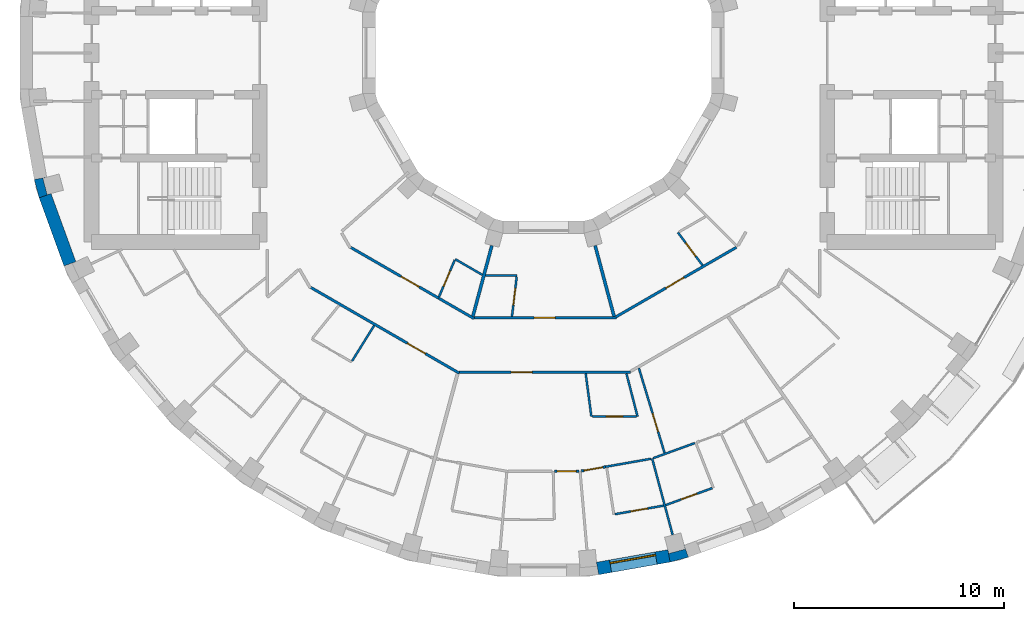
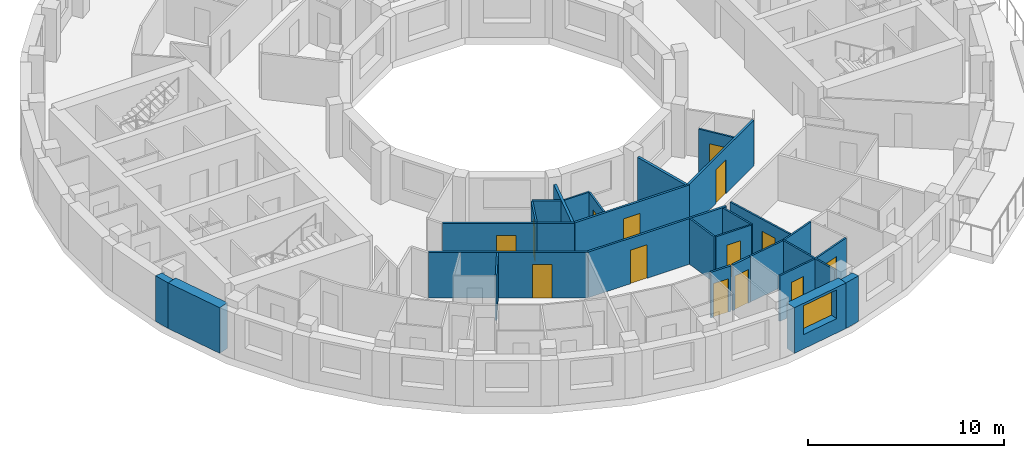
# One storey, part 5 of 14: 29 walls, 14 doors, 1 window, 15 openings.
"""IFC4 building model written with IfcOpenShell, lengths in metres."""

from ifc_helpers import new_model, si_unit, direction, frame, frame_2d, origin, place, context, subcontext, project, spatial, polyline, rectangle, outline, extrude, material, layer, layer_set, type_object, element, fill, save


model = new_model("IFC4")

# Units and contexts
model_context = context("Model", 3, precision=1e-05, world=origin(), true_north=direction((0.0, 1.0)))
body_context = subcontext(model_context, "Body", "Model", "MODEL_VIEW")
ifc_project = project(units=[si_unit("LENGTHUNIT", "METRE"), si_unit("AREAUNIT", "SQUARE_METRE"), si_unit("VOLUMEUNIT", "CUBIC_METRE"), si_unit("PLANEANGLEUNIT", "RADIAN"), si_unit("MASSUNIT", "GRAM", prefix="KILO")], contexts=[model_context])

# Site, building, storey
site_placement = place(None, origin())
site = spatial("IfcSite", under=ifc_project, at=site_placement, CompositionType="ELEMENT")
building_placement = place(site_placement, origin())
building = spatial("IfcBuilding", under=site, at=building_placement, Name="Saqina Gate Tower", CompositionType="ELEMENT")
storey_placement = place(building_placement, frame((0.0, 0.0, 177.300048828125)))
storey = spatial("IfcBuildingStorey", under=building, at=storey_placement, Name="L50", CompositionType="ELEMENT", Elevation=177.300048828125)

# Walls
ifc_material_1 = material(Name="Brick masonry (buff)", Category="masonry")
wall_type_1 = type_object("IfcWallType", Name="BRICK PIER COPING BUFF", PredefinedType="SOLIDWALL", material=ifc_material_1)
wall_1_placement = place(storey_placement, origin())
element("IfcWall", 1, at=wall_1_placement, inside=storey, type_object=wall_type_1, Name="Pier cap L50 column 20", PredefinedType="SOLIDWALL", context=body_context, shape_type="SweptSolid", body=[
    extrude(outline(polyline([(-24.22705078125, -6.0234375), (-23.992919921875, -6.897216796875), (-23.428955078125, -6.69189453125), (-23.610107421875, -6.740478515625), (-23.81689453125, -5.967529296875), (-23.635986328125, -5.919189453125), (-24.22705078125, -6.0234375)])), origin(), (0.0, 0.0, 1.0), 2.849853515625),
])
wall_2_placement = place(storey_placement, origin())
element("IfcWall", 2, at=wall_2_placement, inside=storey, type_object=wall_type_1, Name="Pier cap L50 column 29", PredefinedType="SOLIDWALL", context=body_context, shape_type="SweptSolid", body=[
    extrude(outline(polyline([(6.0234375, -24.22705078125), (6.897216796875, -23.992919921875), (6.69189453125, -23.428955078125), (6.740478515625, -23.610107421875), (5.967529296875, -23.81689453125), (5.919189453125, -23.635986328125), (6.0234375, -24.22705078125)])), origin(), (0.0, 0.0, 1.0), 2.849853515625),
])

# Wall, opening, window
ifc_material_2 = material(Name="Brick masonry (buff)", Category="masonry")
ifc_layer_1 = layer(ifc_material_2, 0.60009765625)
ifc_layer_set_1 = layer_set([ifc_layer_1], Name="FW-BRICK-BUFF")
wall_type_2 = type_object("IfcWallType", Name="FW-BRICK-BUFF", PredefinedType="SOLIDWALL", material=ifc_layer_set_1)
wall_3_placement = place(storey_placement, frame((2.573974609375, -24.530517578125, 0.0), z_axis=(0.0, 0.0, 1.0), x_axis=(0.984814892183, 0.173607684551, 0.0)))
wall_3 = element("IfcWall", 3, at=wall_3_placement, inside=storey, type_object=wall_type_2, Name="Facade wall L50 facet 28", PredefinedType="SOLIDWALL", context=body_context, shape_type="SweptSolid", body=[
    extrude(rectangle(XDim=3.44970703125, YDim=0.60009765625, at=frame_2d((1.724853515625, 0.0))), origin(), (0.0, 0.0, 1.0), 2.849853515625),
])
opening_1_placement = place(wall_3_placement, frame((0.625, 0.0, 0.89990234375)))
opening_1 = element("IfcOpeningElement", 4, at=opening_1_placement, cuts=wall_3, Name="Opening G14-W21", PredefinedType="OPENING", context=body_context, shape_type="SweptSolid", body=[
    extrude(rectangle(XDim=2.199951171875, YDim=1.800048828125, at=frame_2d((1.10009765625, 0.89990234375))), frame((0.0, 0.31201171875, 0.0), z_axis=(0.0, -1.0, 0.0), x_axis=(1.0, 0.0, 0.0)), (0.0, 0.0, 1.0), 0.6240234375),
])
ifc_material_3 = material(Name="Aluminium glazing", Category="aluminium")
window_type = type_object("IfcWindowType", Name="WN-C", PartitioningType="SINGLE_PANEL", PredefinedType="WINDOW", material=ifc_material_3)
window_placement = place(opening_1_placement, origin())
window = element("IfcWindow", 5, at=window_placement, inside=storey, type_object=window_type, Name="Window L50 facet 28", OverallHeight=1.800048828125, OverallWidth=2.199951171875, PartitioningType="SINGLE_PANEL", PredefinedType="WINDOW", context=body_context, shape_type="SweptSolid", body=[
    extrude(rectangle(XDim=2.199951171875, YDim=1.800048828125, at=frame_2d((1.10009765625, 0.89990234375))), frame((0.0, 0.179931640625, 0.0), z_axis=(0.0, -1.0, 0.0), x_axis=(1.0, 0.0, 0.0)), (0.0, 0.0, 1.0), 0.06005859375),
])
fill(opening_1, window)

# Walls
ifc_material_4 = material(Name="Glazed ceramic tile (dark blue)", Category="ceramic")
ifc_layer_2 = layer(ifc_material_4, 0.60009765625)
ifc_layer_set_2 = layer_set([ifc_layer_2], Name="FW-TILE-CB")
wall_type_3 = type_object("IfcWallType", Name="FW-TILE-CB", PredefinedType="SOLIDWALL", material=ifc_layer_set_2)
wall_4_placement = place(storey_placement, frame((-23.7109375, -6.79443359375, 0.0), z_axis=(0.0, 0.0, 1.0), x_axis=(0.342032843455, -0.93968799822, 0.0)))
element("IfcWall", 6, at=wall_4_placement, inside=storey, type_object=wall_type_3, Name="Facade wall L50 facet 20", PredefinedType="SOLIDWALL", context=body_context, shape_type="SweptSolid", body=[
    extrude(rectangle(XDim=3.44970703125, YDim=0.60009765625, at=frame_2d((1.724853515625, 0.0))), origin(), (0.0, 0.0, 1.0), 2.849853515625),
])
ifc_material_5 = material(Name="Gypsum board on steel studs, 100 mm", Category="steel")
ifc_layer_3 = layer(ifc_material_5, 0.10009765625)
ifc_layer_set_3 = layer_set([ifc_layer_3], Name="PARTITION 100")
wall_type_4 = type_object("IfcWallType", Name="PARTITION 100", PredefinedType="PARTITIONING", material=ifc_layer_set_3)
wall_5_placement = place(storey_placement, frame((2.00927734375, -15.261962890625, 0.0), z_axis=(0.0, 0.0, 1.0), x_axis=(0.130755571898, -0.991414635971, 0.0)))
element("IfcWall", 7, at=wall_5_placement, inside=storey, type_object=wall_type_4, Name="PARTITION PW3-07", PredefinedType="PARTITIONING", context=body_context, shape_type="SweptSolid", body=[
    extrude(rectangle(XDim=2.0556640625, YDim=0.10009765625, at=frame_2d((1.02783203125, 0.0))), origin(), (0.0, 0.0, 1.0), 2.849853515625),
])
wall_6_placement = place(storey_placement, frame((3.94775390625, -15.260498046875, 0.0), z_axis=(0.0, 0.0, 1.0), x_axis=(0.250326635419, -0.968161440876, 0.0)))
element("IfcWall", 8, at=wall_6_placement, inside=storey, type_object=wall_type_4, Name="PARTITION PW3-11", PredefinedType="PARTITIONING", context=body_context, shape_type="SweptSolid", body=[
    extrude(rectangle(XDim=2.106689453125, YDim=0.10009765625, at=frame_2d((1.05322265625, 0.0))), origin(), (0.0, 0.0, 1.0), 2.849853515625),
])
wall_7_placement = place(storey_placement, frame((5.1708984375, -19.300048828125, 0.0), z_axis=(0.0, 0.0, 1.0), x_axis=(0.259065026248, -0.965859882268, 0.0)))
element("IfcWall", 9, at=wall_7_placement, inside=storey, type_object=wall_type_4, Name="PARTITION PW3-12", PredefinedType="PARTITIONING", context=body_context, shape_type="SweptSolid", body=[
    extrude(rectangle(XDim=3.75927734375, YDim=0.10009765625, at=frame_2d((1.879638671875, 0.0))), origin(), (0.0, 0.0, 1.0), 2.849853515625),
])

# Wall, opening, door
wall_8_placement = place(storey_placement, frame((4.539306640625, -15.0009765625, 0.0), z_axis=(0.0, 0.0, 1.0), x_axis=(0.289622909768, -0.95714083088, 0.0)))
wall_8 = element("IfcWall", 10, at=wall_8_placement, inside=storey, type_object=wall_type_4, Name="PARTITION PW3-14", PredefinedType="PARTITIONING", context=body_context, shape_type="SweptSolid", body=[
    extrude(rectangle(XDim=4.212158203125, YDim=0.10009765625, at=frame_2d((2.10595703125, 0.0))), origin(), (0.0, 0.0, 1.0), 2.849853515625),
])
opening_2_placement = place(wall_8_placement, frame((2.25, 0.0, 0.0)))
opening_2 = element("IfcOpeningElement", 11, at=opening_2_placement, cuts=wall_8, Name="Opening G14-D54", PredefinedType="OPENING", context=body_context, shape_type="SweptSolid", body=[
    extrude(rectangle(XDim=0.89990234375, YDim=2.10009765625, at=frame_2d((0.449951171875, 1.050048828125))), frame((0.0, 0.06201171875, 0.0), z_axis=(0.0, -1.0, 0.0), x_axis=(1.0, 0.0, 0.0)), (0.0, 0.0, 1.0), 0.1240234375),
])
ifc_material_6 = material(Name="Timber door leaf, 900 mm", Category="wood")
door_type_1 = type_object("IfcDoorType", Name="DOOR 900 TIMBER", OperationType="SINGLE_SWING_LEFT", PredefinedType="DOOR", material=ifc_material_6)
door_1_placement = place(opening_2_placement, frame((0.89990234375, 0.0, 0.0), z_axis=(0.0, 0.0, 1.0), x_axis=(-1.0, 0.0, 0.0)))
door_1 = element("IfcDoor", 12, at=door_1_placement, inside=storey, type_object=door_type_1, Name="DOOR G14-D54", OperationType="SINGLE_SWING_RIGHT", OverallHeight=2.10009765625, OverallWidth=0.89990234375, PredefinedType="DOOR", context=body_context, shape_type="SweptSolid", body=[
    extrude(rectangle(XDim=0.89990234375, YDim=2.10009765625, at=frame_2d((0.449951171875, 1.050048828125))), frame((0.0, 0.02490234375, 0.0), z_axis=(0.0, -1.0, 0.0), x_axis=(1.0, 0.0, 0.0)), (0.0, 0.0, 1.0), 0.050048828125),
])
fill(opening_2, door_1)

wall_9_placement = place(storey_placement, frame((6.39697265625, -8.5458984375, 0.0), z_axis=(0.0, 0.0, 1.0), x_axis=(0.59915927021, -0.800629857626, 0.0)))
wall_9 = element("IfcWall", 13, at=wall_9_placement, inside=storey, type_object=wall_type_4, Name="PARTITION PW3-25", PredefinedType="PARTITIONING", context=body_context, shape_type="SweptSolid", body=[
    extrude(rectangle(XDim=1.9521484375, YDim=0.10009765625, at=frame_2d((0.97607421875, 0.0))), origin(), (0.0, 0.0, 1.0), 2.849853515625),
])
opening_3_placement = place(wall_9_placement, frame((0.607421875, 0.0, 0.0)))
opening_3 = element("IfcOpeningElement", 14, at=opening_3_placement, cuts=wall_9, Name="Opening G14-D60", PredefinedType="OPENING", context=body_context, shape_type="SweptSolid", body=[
    extrude(rectangle(XDim=0.800048828125, YDim=2.10009765625, at=frame_2d((0.39990234375, 1.050048828125))), frame((0.0, 0.06201171875, 0.0), z_axis=(0.0, -1.0, 0.0), x_axis=(1.0, 0.0, 0.0)), (0.0, 0.0, 1.0), 0.1240234375),
])
ifc_material_7 = material(Name="Timber door leaf, 800 mm", Category="wood")
door_type_2 = type_object("IfcDoorType", Name="DOOR 800 TIMBER", OperationType="SINGLE_SWING_LEFT", PredefinedType="DOOR", material=ifc_material_7)
door_2_placement = place(opening_3_placement, frame((0.800048828125, 0.0, 0.0), z_axis=(0.0, 0.0, 1.0), x_axis=(-1.0, 0.0, 0.0)))
door_2 = element("IfcDoor", 15, at=door_2_placement, inside=storey, type_object=door_type_2, Name="DOOR G14-D60", OperationType="SINGLE_SWING_LEFT", OverallHeight=2.10009765625, OverallWidth=0.800048828125, PredefinedType="DOOR", context=body_context, shape_type="SweptSolid", body=[
    extrude(rectangle(XDim=0.800048828125, YDim=2.10009765625, at=frame_2d((0.39990234375, 1.050048828125))), frame((0.0, 0.02490234375, 0.0), z_axis=(0.0, -1.0, 0.0), x_axis=(1.0, 0.0, 0.0)), (0.0, 0.0, 1.0), 0.050048828125),
])
fill(opening_3, door_2)

# Wall
wall_10_placement = place(storey_placement, frame((-4.202880859375, -9.81298828125, 0.0), z_axis=(0.0, 0.0, 1.0), x_axis=(0.865968547448, -0.500098465136, 0.0)))
element("IfcWall", 16, at=wall_10_placement, inside=storey, type_object=wall_type_4, Name="PARTITION PW3-38", PredefinedType="PARTITIONING", context=body_context, shape_type="SweptSolid", body=[
    extrude(rectangle(XDim=1.498779296875, YDim=0.10009765625, at=frame_2d((0.74951171875, 0.0))), origin(), (0.0, 0.0, 1.0), 2.849853515625),
])

# Wall, opening, door
wall_11_placement = place(storey_placement, frame((2.327880859375, -17.300048828125, 0.0), z_axis=(0.0, 0.0, 1.0), x_axis=(1.0, 0.0, 0.0)))
wall_11 = element("IfcWall", 17, at=wall_11_placement, inside=storey, type_object=wall_type_4, Name="PARTITION PW3-52", PredefinedType="PARTITIONING", context=body_context, shape_type="SweptSolid", body=[
    extrude(rectangle(XDim=2.09716796875, YDim=0.10009765625, at=frame_2d((1.048583984375, 0.0))), origin(), (0.0, 0.0, 1.0), 2.849853515625),
])
opening_4_placement = place(wall_11_placement, frame((0.6484375, 0.0, 0.0)))
opening_4 = element("IfcOpeningElement", 18, at=opening_4_placement, cuts=wall_11, Name="Opening G14-D52", PredefinedType="OPENING", context=body_context, shape_type="SweptSolid", body=[
    extrude(rectangle(XDim=0.800048828125, YDim=2.10009765625, at=frame_2d((0.39990234375, 1.050048828125))), frame((0.0, 0.06201171875, 0.0), z_axis=(0.0, -1.0, 0.0), x_axis=(1.0, 0.0, 0.0)), (0.0, 0.0, 1.0), 0.1240234375),
])
door_3_placement = place(opening_4_placement, frame((0.800048828125, 0.0, 0.0), z_axis=(0.0, 0.0, 1.0), x_axis=(-1.0, 0.0, 0.0)))
door_3 = element("IfcDoor", 19, at=door_3_placement, inside=storey, type_object=door_type_2, Name="DOOR G14-D52", OperationType="SINGLE_SWING_LEFT", OverallHeight=2.10009765625, OverallWidth=0.800048828125, PredefinedType="DOOR", context=body_context, shape_type="SweptSolid", body=[
    extrude(rectangle(XDim=0.800048828125, YDim=2.10009765625, at=frame_2d((0.39990234375, 1.050048828125))), frame((0.0, 0.02490234375, 0.0), z_axis=(0.0, -1.0, 0.0), x_axis=(1.0, 0.0, 0.0)), (0.0, 0.0, 1.0), 0.050048828125),
])
fill(opening_4, door_3)

# Wall
wall_12_placement = place(storey_placement, frame((-2.764892578125, -10.60009765625, 0.0), z_axis=(0.0, 0.0, 1.0), x_axis=(1.0, 0.0, 0.0)))
element("IfcWall", 20, at=wall_12_placement, inside=storey, type_object=wall_type_4, Name="PARTITION PW3-53", PredefinedType="PARTITIONING", context=body_context, shape_type="SweptSolid", body=[
    extrude(rectangle(XDim=1.497802734375, YDim=0.10009765625, at=frame_2d((0.7490234375, 0.0))), origin(), (0.0, 0.0, 1.0), 2.849853515625),
])

# Wall, opening, door
wall_13_placement = place(storey_placement, frame((3.396240234375, -21.9482421875, 0.0), z_axis=(0.0, 0.0, 1.0), x_axis=(0.984809591131, 0.173637752855, 0.0)))
wall_13 = element("IfcWall", 21, at=wall_13_placement, inside=storey, type_object=wall_type_4, Name="PARTITION PW3-58", PredefinedType="PARTITIONING", context=body_context, shape_type="SweptSolid", body=[
    extrude(rectangle(XDim=2.359375, YDim=0.10009765625, at=frame_2d((1.1796875, 0.0))), origin(), (0.0, 0.0, 1.0), 2.849853515625),
])
opening_5_placement = place(wall_13_placement, frame((0.77978515625, 0.0, 0.0)))
opening_5 = element("IfcOpeningElement", 22, at=opening_5_placement, cuts=wall_13, Name="Opening G14-D53", PredefinedType="OPENING", context=body_context, shape_type="SweptSolid", body=[
    extrude(rectangle(XDim=0.800048828125, YDim=2.10009765625, at=frame_2d((0.39990234375, 1.050048828125))), frame((0.0, 0.06201171875, 0.0), z_axis=(0.0, -1.0, 0.0), x_axis=(1.0, 0.0, 0.0)), (0.0, 0.0, 1.0), 0.1240234375),
])
door_4_placement = place(opening_5_placement, frame((0.800048828125, 0.0, 0.0), z_axis=(0.0, 0.0, 1.0), x_axis=(-1.0, 0.0, 0.0)))
door_4 = element("IfcDoor", 23, at=door_4_placement, inside=storey, type_object=door_type_2, Name="DOOR G14-D53", OperationType="SINGLE_SWING_LEFT", OverallHeight=2.10009765625, OverallWidth=0.800048828125, PredefinedType="DOOR", context=body_context, shape_type="SweptSolid", body=[
    extrude(rectangle(XDim=0.800048828125, YDim=2.10009765625, at=frame_2d((0.39990234375, 1.050048828125))), frame((0.0, 0.02490234375, 0.0), z_axis=(0.0, -1.0, 0.0), x_axis=(1.0, 0.0, 0.0)), (0.0, 0.0, 1.0), 0.050048828125),
])
fill(opening_5, door_4)

# Wall
wall_14_placement = place(storey_placement, frame((2.95068359375, -19.69189453125, 0.0), z_axis=(0.0, 0.0, 1.0), x_axis=(0.984828120468, 0.173532628446, 0.0)))
element("IfcWall", 24, at=wall_14_placement, inside=storey, type_object=wall_type_4, Name="PARTITION PW3-59", PredefinedType="PARTITIONING", context=body_context, shape_type="SweptSolid", body=[
    extrude(rectangle(XDim=2.20458984375, YDim=0.10009765625, at=frame_2d((1.102294921875, 0.0))), origin(), (0.0, 0.0, 1.0), 2.849853515625),
])

# Wall, opening, door
wall_15_placement = place(storey_placement, frame((5.81591796875, -21.512939453125, 0.0), z_axis=(0.0, 0.0, 1.0), x_axis=(0.939699727678, 0.342000616669, 0.0)))
wall_15 = element("IfcWall", 25, at=wall_15_placement, inside=storey, type_object=wall_type_4, Name="PARTITION PW3-62", PredefinedType="PARTITIONING", context=body_context, shape_type="SweptSolid", body=[
    extrude(rectangle(XDim=2.359375, YDim=0.10009765625, at=frame_2d((1.1796875, 0.0))), origin(), (0.0, 0.0, 1.0), 2.849853515625),
])
opening_6_placement = place(wall_15_placement, frame((0.779541015625, 0.0, 0.0)))
opening_6 = element("IfcOpeningElement", 26, at=opening_6_placement, cuts=wall_15, Name="Opening G14-D55", PredefinedType="OPENING", context=body_context, shape_type="SweptSolid", body=[
    extrude(rectangle(XDim=0.800048828125, YDim=2.10009765625, at=frame_2d((0.39990234375, 1.050048828125))), frame((0.0, 0.06201171875, 0.0), z_axis=(0.0, -1.0, 0.0), x_axis=(1.0, 0.0, 0.0)), (0.0, 0.0, 1.0), 0.1240234375),
])
door_5_placement = place(opening_6_placement, frame((0.800048828125, 0.0, 0.0), z_axis=(0.0, 0.0, 1.0), x_axis=(-1.0, 0.0, 0.0)))
door_5 = element("IfcDoor", 27, at=door_5_placement, inside=storey, type_object=door_type_2, Name="DOOR G14-D55", OperationType="SINGLE_SWING_RIGHT", OverallHeight=2.10009765625, OverallWidth=0.800048828125, PredefinedType="DOOR", context=body_context, shape_type="SweptSolid", body=[
    extrude(rectangle(XDim=0.800048828125, YDim=2.10009765625, at=frame_2d((0.39990234375, 1.050048828125))), frame((0.0, 0.02490234375, 0.0), z_axis=(0.0, -1.0, 0.0), x_axis=(1.0, 0.0, 0.0)), (0.0, 0.0, 1.0), 0.050048828125),
])
fill(opening_6, door_5)

# Walls
wall_16_placement = place(storey_placement, frame((5.218017578125, -19.282958984375, 0.0), z_axis=(0.0, 0.0, 1.0), x_axis=(0.939938953839, 0.341342588987, 0.0)))
element("IfcWall", 28, at=wall_16_placement, inside=storey, type_object=wall_type_4, Name="PARTITION PW3-63", PredefinedType="PARTITIONING", context=body_context, shape_type="SweptSolid", body=[
    extrude(rectangle(XDim=2.10498046875, YDim=0.10009765625, at=frame_2d((1.052490234375, 0.0))), origin(), (0.0, 0.0, 1.0), 2.849853515625),
])
wall_17_placement = place(storey_placement, frame((-9.106689453125, -14.66064453125, 0.0), z_axis=(0.0, 0.0, 1.0), x_axis=(0.528010719156, 0.849237705508, 0.0)))
element("IfcWall", 29, at=wall_17_placement, inside=storey, type_object=wall_type_4, Name="PARTITION PW3-90", PredefinedType="PARTITIONING", context=body_context, shape_type="SweptSolid", body=[
    extrude(rectangle(XDim=1.98828125, YDim=0.10009765625, at=frame_2d((0.994140625, 0.0))), origin(), (0.0, 0.0, 1.0), 2.849853515625),
])

# Wall, opening, door
wall_18_placement = place(storey_placement, frame((-4.971435546875, -11.607421875, 0.0), z_axis=(0.0, 0.0, 1.0), x_axis=(0.393655939277, 0.919257853636, 0.0)))
wall_18 = element("IfcWall", 30, at=wall_18_placement, inside=storey, type_object=wall_type_4, Name="PARTITION PW3-95", PredefinedType="PARTITIONING", context=body_context, shape_type="SweptSolid", body=[
    extrude(rectangle(XDim=1.902099609375, YDim=0.10009765625, at=frame_2d((0.951171875, 0.0))), origin(), (0.0, 0.0, 1.0), 2.849853515625),
])
opening_7_placement = place(wall_18_placement, frame((0.544677734375, 0.0, 0.0)))
opening_7 = element("IfcOpeningElement", 31, at=opening_7_placement, cuts=wall_18, Name="Opening G14-D41", PredefinedType="OPENING", context=body_context, shape_type="SweptSolid", body=[
    extrude(rectangle(XDim=0.800048828125, YDim=2.10009765625, at=frame_2d((0.39990234375, 1.050048828125))), frame((0.0, 0.06201171875, 0.0), z_axis=(0.0, -1.0, 0.0), x_axis=(1.0, 0.0, 0.0)), (0.0, 0.0, 1.0), 0.1240234375),
])
door_6_placement = place(opening_7_placement, origin())
door_6 = element("IfcDoor", 32, at=door_6_placement, inside=storey, type_object=door_type_2, Name="DOOR G14-D41", OperationType="SINGLE_SWING_LEFT", OverallHeight=2.10009765625, OverallWidth=0.800048828125, PredefinedType="DOOR", context=body_context, shape_type="SweptSolid", body=[
    extrude(rectangle(XDim=0.800048828125, YDim=2.10009765625, at=frame_2d((0.39990234375, 1.050048828125))), frame((0.0, 0.02490234375, 0.0), z_axis=(0.0, -1.0, 0.0), x_axis=(1.0, 0.0, 0.0)), (0.0, 0.0, 1.0), 0.050048828125),
])
fill(opening_7, door_6)

wall_19_placement = place(storey_placement, frame((-1.49853515625, -12.537841796875, 0.0), z_axis=(0.0, 0.0, 1.0), x_axis=(0.118628824783, 0.992938669773, 0.0)))
wall_19 = element("IfcWall", 33, at=wall_19_placement, inside=storey, type_object=wall_type_4, Name="PARTITION PW3-100", PredefinedType="PARTITIONING", context=body_context, shape_type="SweptSolid", body=[
    extrude(rectangle(XDim=1.901611328125, YDim=0.10009765625, at=frame_2d((0.95068359375, 0.0))), origin(), (0.0, 0.0, 1.0), 2.849853515625),
])
opening_8_placement = place(wall_19_placement, frame((0.544677734375, 0.0, 0.0)))
opening_8 = element("IfcOpeningElement", 34, at=opening_8_placement, cuts=wall_19, Name="Opening G14-D46", PredefinedType="OPENING", context=body_context, shape_type="SweptSolid", body=[
    extrude(rectangle(XDim=0.800048828125, YDim=2.10009765625, at=frame_2d((0.39990234375, 1.050048828125))), frame((0.0, 0.06201171875, 0.0), z_axis=(0.0, -1.0, 0.0), x_axis=(1.0, 0.0, 0.0)), (0.0, 0.0, 1.0), 0.1240234375),
])
door_7_placement = place(opening_8_placement, frame((0.800048828125, 0.0, 0.0), z_axis=(0.0, 0.0, 1.0), x_axis=(-1.0, 0.0, 0.0)))
door_7 = element("IfcDoor", 35, at=door_7_placement, inside=storey, type_object=door_type_2, Name="DOOR G14-D46", OperationType="SINGLE_SWING_RIGHT", OverallHeight=2.10009765625, OverallWidth=0.800048828125, PredefinedType="DOOR", context=body_context, shape_type="SweptSolid", body=[
    extrude(rectangle(XDim=0.800048828125, YDim=2.10009765625, at=frame_2d((0.39990234375, 1.050048828125))), frame((0.0, 0.02490234375, 0.0), z_axis=(0.0, -1.0, 0.0), x_axis=(1.0, 0.0, 0.0)), (0.0, 0.0, 1.0), 0.050048828125),
])
fill(opening_8, door_7)

ifc_material_8 = material(Name="Gypsum board on steel studs, 125 mm, fire rated", Category="steel")
ifc_layer_4 = layer(ifc_material_8, 0.125)
ifc_layer_set_4 = layer_set([ifc_layer_4], Name="PARTITION EI 30 125")
wall_type_5 = type_object("IfcWallType", Name="PARTITION EI 30 125", PredefinedType="PARTITIONING", material=ifc_layer_set_4)
wall_20_placement = place(storey_placement, frame((-11.07275390625, -11.158203125, 0.0), z_axis=(0.0, 0.0, 1.0), x_axis=(0.865999621737, -0.500044653157, 0.0)))
wall_20 = element("IfcWall", 36, at=wall_20_placement, inside=storey, type_object=wall_type_5, Name="PARTITION PW1-16", PredefinedType="PARTITIONING", context=body_context, shape_type="SweptSolid", body=[
    extrude(rectangle(XDim=8.155029296875, YDim=0.125, at=frame_2d((4.07763671875, 0.0))), origin(), (0.0, 0.0, 1.0), 2.849853515625),
])
opening_9_placement = place(wall_20_placement, frame((5.302001953125, 0.0, 0.0)))
opening_9 = element("IfcOpeningElement", 37, at=opening_9_placement, cuts=wall_20, Name="Opening G14-D40", PredefinedType="OPENING", context=body_context, shape_type="SweptSolid", body=[
    extrude(rectangle(XDim=1.0, YDim=2.10009765625, at=frame_2d((0.5, 1.050048828125))), frame((0.0, 0.074462890625, 0.0), z_axis=(0.0, -1.0, 0.0), x_axis=(1.0, 0.0, 0.0)), (0.0, 0.0, 1.0), 0.14892578125),
])
ifc_material_9 = material(Name="Fire door leaf EI 30, 1000 mm")
door_type_3 = type_object("IfcDoorType", Name="DOOR 1000 EI 30", OperationType="SINGLE_SWING_LEFT", PredefinedType="DOOR", material=ifc_material_9)
door_8_placement = place(opening_9_placement, frame((1.0, 0.0, 0.0), z_axis=(0.0, 0.0, 1.0), x_axis=(-1.0, 0.0, 0.0)))
door_8 = element("IfcDoor", 38, at=door_8_placement, inside=storey, type_object=door_type_3, Name="DOOR G14-D40", OperationType="SINGLE_SWING_LEFT", OverallHeight=2.10009765625, OverallWidth=1.0, PredefinedType="DOOR", context=body_context, shape_type="SweptSolid", body=[
    extrude(rectangle(XDim=1.0, YDim=2.10009765625, at=frame_2d((0.5, 1.050048828125))), frame((0.0, 0.02490234375, 0.0), z_axis=(0.0, -1.0, 0.0), x_axis=(1.0, 0.0, 0.0)), (0.0, 0.0, 1.0), 0.050048828125),
])
fill(opening_9, door_8)

wall_21_placement = place(storey_placement, frame((-9.169921875, -9.255126953125, 0.0), z_axis=(0.0, 0.0, 1.0), x_axis=(0.866034433151, -0.499984360352, 0.0)))
wall_21 = element("IfcWall", 39, at=wall_21_placement, inside=storey, type_object=wall_type_5, Name="PARTITION PW1-17", PredefinedType="PARTITIONING", context=body_context, shape_type="SweptSolid", body=[
    extrude(rectangle(XDim=4.841552734375, YDim=0.125, at=frame_2d((2.4208984375, 0.0))), origin(), (0.0, 0.0, 1.0), 2.849853515625),
])
opening_10_placement = place(wall_21_placement, frame((2.762939453125, 0.0, 0.0)))
opening_10 = element("IfcOpeningElement", 40, at=opening_10_placement, cuts=wall_21, Name="Opening G14-D38", PredefinedType="OPENING", context=body_context, shape_type="SweptSolid", body=[
    extrude(rectangle(XDim=1.0, YDim=2.10009765625, at=frame_2d((0.5, 1.050048828125))), frame((0.0, 0.074462890625, 0.0), z_axis=(0.0, -1.0, 0.0), x_axis=(1.0, 0.0, 0.0)), (0.0, 0.0, 1.0), 0.14892578125),
])
door_9_placement = place(opening_10_placement, origin())
door_9 = element("IfcDoor", 41, at=door_9_placement, inside=storey, type_object=door_type_3, Name="DOOR G14-D38", OperationType="SINGLE_SWING_RIGHT", OverallHeight=2.10009765625, OverallWidth=1.0, PredefinedType="DOOR", context=body_context, shape_type="SweptSolid", body=[
    extrude(rectangle(XDim=1.0, YDim=2.10009765625, at=frame_2d((0.5, 1.050048828125))), frame((0.0, 0.02490234375, 0.0), z_axis=(0.0, -1.0, 0.0), x_axis=(1.0, 0.0, 0.0)), (0.0, 0.0, 1.0), 0.050048828125),
])
fill(opening_10, door_9)

# Wall
wall_22_placement = place(storey_placement, frame((-4.97705078125, -11.67578125, 0.0), z_axis=(0.0, 0.0, 1.0), x_axis=(0.866083998124, -0.49989849789, 0.0)))
element("IfcWall", 42, at=wall_22_placement, inside=storey, type_object=wall_type_5, Name="PARTITION PW1-18", PredefinedType="PARTITIONING", context=body_context, shape_type="SweptSolid", body=[
    extrude(rectangle(XDim=1.9208984375, YDim=0.125, at=frame_2d((0.96044921875, 0.0))), origin(), (0.0, 0.0, 1.0), 2.849853515625),
])

# Wall, opening, door
wall_23_placement = place(storey_placement, frame((0.512939453125, -19.905029296875, 0.0), z_axis=(0.0, 0.0, 1.0), x_axis=(1.0, 0.0, 0.0)))
wall_23 = element("IfcWall", 43, at=wall_23_placement, inside=storey, type_object=wall_type_5, Name="PARTITION PW1-26", PredefinedType="PARTITIONING", context=body_context, shape_type="SweptSolid", body=[
    extrude(rectangle(XDim=1.177978515625, YDim=0.125, at=frame_2d((0.5888671875, 0.0))), origin(), (0.0, 0.0, 1.0), 2.849853515625),
])
opening_11_placement = place(wall_23_placement, frame((0.138916015625, 0.0, 0.0)))
opening_11 = element("IfcOpeningElement", 44, at=opening_11_placement, cuts=wall_23, Name="Opening G14-D50", PredefinedType="OPENING", context=body_context, shape_type="SweptSolid", body=[
    extrude(rectangle(XDim=0.89990234375, YDim=2.10009765625, at=frame_2d((0.449951171875, 1.050048828125))), frame((0.0, 0.074462890625, 0.0), z_axis=(0.0, -1.0, 0.0), x_axis=(1.0, 0.0, 0.0)), (0.0, 0.0, 1.0), 0.14892578125),
])
ifc_material_10 = material(Name="Fire door leaf EI 30, 900 mm")
door_type_4 = type_object("IfcDoorType", Name="DOOR 900 EI 30", OperationType="SINGLE_SWING_LEFT", PredefinedType="DOOR", material=ifc_material_10)
door_10_placement = place(opening_11_placement, origin())
door_10 = element("IfcDoor", 45, at=door_10_placement, inside=storey, type_object=door_type_4, Name="DOOR G14-D50", OperationType="SINGLE_SWING_RIGHT", OverallHeight=2.10009765625, OverallWidth=0.89990234375, PredefinedType="DOOR", context=body_context, shape_type="SweptSolid", body=[
    extrude(rectangle(XDim=0.89990234375, YDim=2.10009765625, at=frame_2d((0.449951171875, 1.050048828125))), frame((0.0, 0.02490234375, 0.0), z_axis=(0.0, -1.0, 0.0), x_axis=(1.0, 0.0, 0.0)), (0.0, 0.0, 1.0), 0.050048828125),
])
fill(opening_11, door_10)

wall_24_placement = place(storey_placement, frame((-4.010498046875, -15.199951171875, 0.0), z_axis=(0.0, 0.0, 1.0), x_axis=(1.0, 0.0, 0.0)))
wall_24 = element("IfcWall", 46, at=wall_24_placement, inside=storey, type_object=wall_type_5, Name="PARTITION PW1-27", PredefinedType="PARTITIONING", context=body_context, shape_type="SweptSolid", body=[
    extrude(rectangle(XDim=8.155517578125, YDim=0.125, at=frame_2d((4.07763671875, 0.0))), origin(), (0.0, 0.0, 1.0), 2.849853515625),
])
opening_12_placement = place(wall_24_placement, frame((2.474609375, 0.0, 0.0)))
opening_12 = element("IfcOpeningElement", 47, at=opening_12_placement, cuts=wall_24, Name="Opening G14-D47", PredefinedType="OPENING", context=body_context, shape_type="SweptSolid", body=[
    extrude(rectangle(XDim=1.0, YDim=2.10009765625, at=frame_2d((0.5, 1.050048828125))), frame((0.0, 0.074462890625, 0.0), z_axis=(0.0, -1.0, 0.0), x_axis=(1.0, 0.0, 0.0)), (0.0, 0.0, 1.0), 0.14892578125),
])
door_11_placement = place(opening_12_placement, frame((1.0, 0.0, 0.0), z_axis=(0.0, 0.0, 1.0), x_axis=(-1.0, 0.0, 0.0)))
door_11 = element("IfcDoor", 48, at=door_11_placement, inside=storey, type_object=door_type_3, Name="DOOR G14-D47", OperationType="SINGLE_SWING_RIGHT", OverallHeight=2.10009765625, OverallWidth=1.0, PredefinedType="DOOR", context=body_context, shape_type="SweptSolid", body=[
    extrude(rectangle(XDim=1.0, YDim=2.10009765625, at=frame_2d((0.5, 1.050048828125))), frame((0.0, 0.02490234375, 0.0), z_axis=(0.0, -1.0, 0.0), x_axis=(1.0, 0.0, 0.0)), (0.0, 0.0, 1.0), 0.050048828125),
])
fill(opening_12, door_11)

wall_25_placement = place(storey_placement, frame((-3.3134765625, -12.60009765625, 0.0), z_axis=(0.0, 0.0, 1.0), x_axis=(1.0, 0.0, 0.0)))
wall_25 = element("IfcWall", 49, at=wall_25_placement, inside=storey, type_object=wall_type_5, Name="PARTITION PW1-28", PredefinedType="PARTITIONING", context=body_context, shape_type="SweptSolid", body=[
    extrude(rectangle(XDim=6.776123046875, YDim=0.125, at=frame_2d((3.38818359375, 0.0))), origin(), (0.0, 0.0, 1.0), 2.849853515625),
])
opening_13_placement = place(wall_25_placement, frame((2.864013671875, 0.0, 0.0)))
opening_13 = element("IfcOpeningElement", 50, at=opening_13_placement, cuts=wall_25, Name="Opening G14-D49", PredefinedType="OPENING", context=body_context, shape_type="SweptSolid", body=[
    extrude(rectangle(XDim=1.0, YDim=2.10009765625, at=frame_2d((0.5, 1.050048828125))), frame((0.0, 0.074462890625, 0.0), z_axis=(0.0, -1.0, 0.0), x_axis=(1.0, 0.0, 0.0)), (0.0, 0.0, 1.0), 0.14892578125),
])
door_12_placement = place(opening_13_placement, origin())
door_12 = element("IfcDoor", 51, at=door_12_placement, inside=storey, type_object=door_type_3, Name="DOOR G14-D49", OperationType="SINGLE_SWING_LEFT", OverallHeight=2.10009765625, OverallWidth=1.0, PredefinedType="DOOR", context=body_context, shape_type="SweptSolid", body=[
    extrude(rectangle(XDim=1.0, YDim=2.10009765625, at=frame_2d((0.5, 1.050048828125))), frame((0.0, 0.02490234375, 0.0), z_axis=(0.0, -1.0, 0.0), x_axis=(1.0, 0.0, 0.0)), (0.0, 0.0, 1.0), 0.050048828125),
])
fill(opening_13, door_12)

wall_26_placement = place(storey_placement, frame((1.802490234375, -19.89404296875, 0.0), z_axis=(0.0, 0.0, 1.0), x_axis=(0.984853048851, 0.173391095992, 0.0)))
wall_26 = element("IfcWall", 52, at=wall_26_placement, inside=storey, type_object=wall_type_5, Name="PARTITION PW1-32", PredefinedType="PARTITIONING", context=body_context, shape_type="SweptSolid", body=[
    extrude(rectangle(XDim=1.165771484375, YDim=0.125, at=frame_2d((0.5830078125, 0.0))), origin(), (0.0, 0.0, 1.0), 2.849853515625),
])
opening_14_placement = place(wall_26_placement, frame((0.126708984375, 0.0, 0.0)))
opening_14 = element("IfcOpeningElement", 53, at=opening_14_placement, cuts=wall_26, Name="Opening G14-D51", PredefinedType="OPENING", context=body_context, shape_type="SweptSolid", body=[
    extrude(rectangle(XDim=0.89990234375, YDim=2.10009765625, at=frame_2d((0.449951171875, 1.050048828125))), frame((0.0, 0.074462890625, 0.0), z_axis=(0.0, -1.0, 0.0), x_axis=(1.0, 0.0, 0.0)), (0.0, 0.0, 1.0), 0.14892578125),
])
door_13_placement = place(opening_14_placement, origin())
door_13 = element("IfcDoor", 54, at=door_13_placement, inside=storey, type_object=door_type_4, Name="DOOR G14-D51", OperationType="SINGLE_SWING_LEFT", OverallHeight=2.10009765625, OverallWidth=0.89990234375, PredefinedType="DOOR", context=body_context, shape_type="SweptSolid", body=[
    extrude(rectangle(XDim=0.89990234375, YDim=2.10009765625, at=frame_2d((0.449951171875, 1.050048828125))), frame((0.0, 0.02490234375, 0.0), z_axis=(0.0, -1.0, 0.0), x_axis=(1.0, 0.0, 0.0)), (0.0, 0.0, 1.0), 0.050048828125),
])
fill(opening_14, door_13)

wall_27_placement = place(storey_placement, frame((3.44091796875, -12.5625, 0.0), z_axis=(0.0, 0.0, 1.0), x_axis=(0.866049406461, 0.49995842384, 0.0)))
wall_27 = element("IfcWall", 55, at=wall_27_placement, inside=storey, type_object=wall_type_5, Name="PARTITION PW1-38", PredefinedType="PARTITIONING", context=body_context, shape_type="SweptSolid", body=[
    extrude(rectangle(XDim=6.62744140625, YDim=0.125, at=frame_2d((3.313720703125, 0.0))), origin(), (0.0, 0.0, 1.0), 2.849853515625),
])
opening_15_placement = place(wall_27_placement, frame((2.75048828125, 0.0, 0.0)))
opening_15 = element("IfcOpeningElement", 56, at=opening_15_placement, cuts=wall_27, Name="Opening G14-D58", PredefinedType="OPENING", context=body_context, shape_type="SweptSolid", body=[
    extrude(rectangle(XDim=1.0, YDim=2.10009765625, at=frame_2d((0.5, 1.050048828125))), frame((0.0, 0.074462890625, 0.0), z_axis=(0.0, -1.0, 0.0), x_axis=(1.0, 0.0, 0.0)), (0.0, 0.0, 1.0), 0.14892578125),
])
door_14_placement = place(opening_15_placement, origin())
door_14 = element("IfcDoor", 57, at=door_14_placement, inside=storey, type_object=door_type_3, Name="DOOR G14-D58", OperationType="SINGLE_SWING_LEFT", OverallHeight=2.10009765625, OverallWidth=1.0, PredefinedType="DOOR", context=body_context, shape_type="SweptSolid", body=[
    extrude(rectangle(XDim=1.0, YDim=2.10009765625, at=frame_2d((0.5, 1.050048828125))), frame((0.0, 0.02490234375, 0.0), z_axis=(0.0, -1.0, 0.0), x_axis=(1.0, 0.0, 0.0)), (0.0, 0.0, 1.0), 0.050048828125),
])
fill(opening_15, door_14)

# Walls
ifc_material_11 = material(Name="Gypsum board on steel studs, 150 mm, fire rated", Category="steel")
ifc_layer_5 = layer(ifc_material_11, 0.14990234375)
ifc_layer_set_5 = layer_set([ifc_layer_5], Name="PARTITION EI 60 150")
wall_type_6 = type_object("IfcWallType", Name="PARTITION EI 60 150", PredefinedType="PARTITIONING", material=ifc_layer_set_5)
wall_28_placement = place(storey_placement, frame((2.45751953125, -9.16845703125, 0.0), z_axis=(0.0, 0.0, 1.0), x_axis=(0.258289617132, -0.966067530601, 0.0)))
element("IfcWall", 58, at=wall_28_placement, inside=storey, type_object=wall_type_6, Name="PARTITION PW2-02", PredefinedType="PARTITIONING", context=body_context, shape_type="SweptSolid", body=[
    extrude(rectangle(XDim=3.48974609375, YDim=0.14990234375, at=frame_2d((1.744873046875, 0.0))), origin(), (0.0, 0.0, 1.0), 2.849853515625),
])
wall_29_placement = place(storey_placement, frame((-3.359619140625, -12.539794921875, 0.0), z_axis=(0.0, 0.0, 1.0), x_axis=(0.258764058846, 0.965940558135, 0.0)))
element("IfcWall", 59, at=wall_29_placement, inside=storey, type_object=wall_type_6, Name="PARTITION PW2-06", PredefinedType="PARTITIONING", context=body_context, shape_type="SweptSolid", body=[
    extrude(rectangle(XDim=3.489990234375, YDim=0.14990234375, at=frame_2d((1.7451171875, 0.0))), origin(), (0.0, 0.0, 1.0), 2.849853515625),
])

save(model, "model.ifc")
